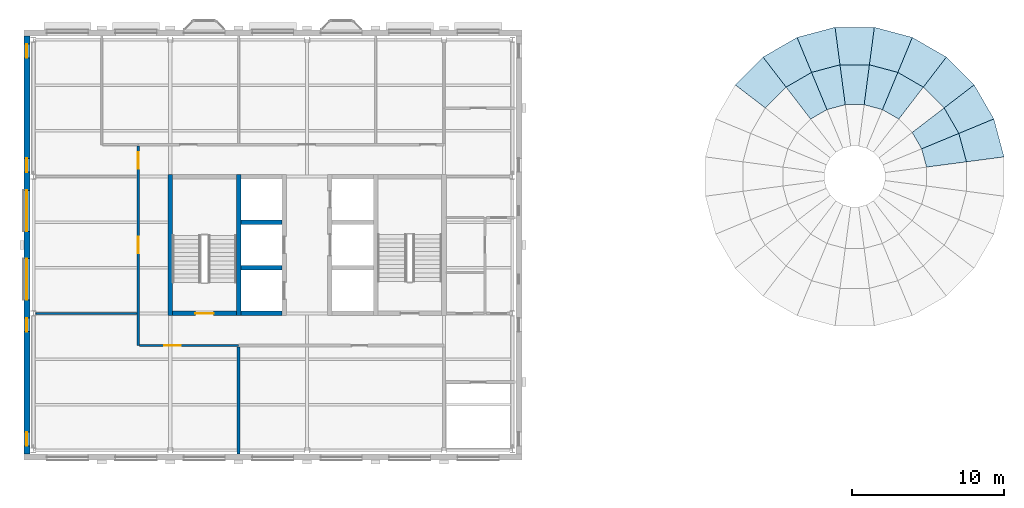
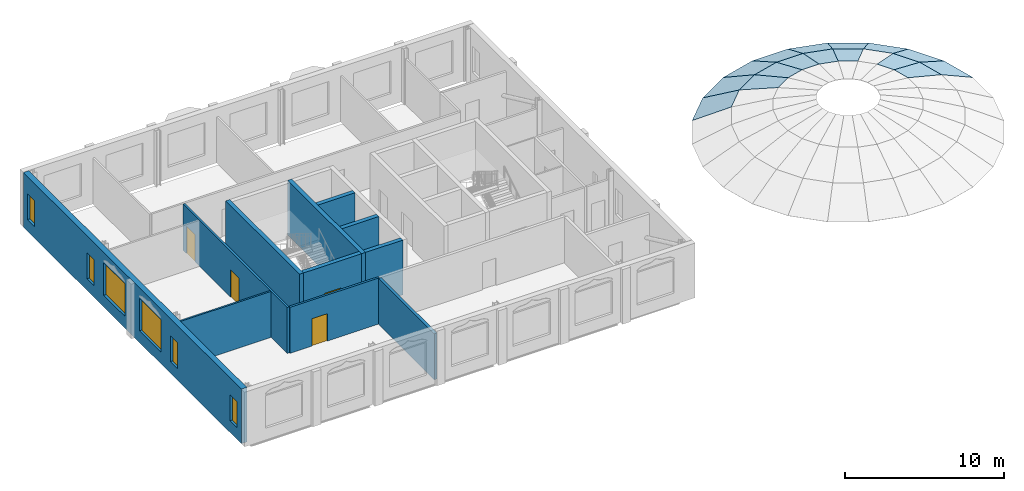
# One storey, part 5 of 11: 16 plates, 11 walls, 6 windows, 4 doors, 10 openings.
"""IFC4 building model written with IfcOpenShell, lengths in metres."""

from ifc_helpers import new_model, si_unit, direction, frame, frame_2d, origin, place, context, subcontext, project, spatial, polyline, rectangle, outline, extrude, material, layer, layer_set, type_object, element, fill, save


model = new_model("IFC4")

# Units and contexts
model_context = context("Model", 3, precision=1e-05, world=origin(), true_north=direction((0.0, 1.0)))
body_context = subcontext(model_context, "Body", "Model", "MODEL_VIEW")
ifc_project = project(units=[si_unit("LENGTHUNIT", "METRE"), si_unit("AREAUNIT", "SQUARE_METRE"), si_unit("VOLUMEUNIT", "CUBIC_METRE"), si_unit("PLANEANGLEUNIT", "RADIAN"), si_unit("MASSUNIT", "GRAM", prefix="KILO")], contexts=[model_context])

# Site, building, storey
site_placement = place(None, origin())
site = spatial("IfcSite", under=ifc_project, at=site_placement, CompositionType="ELEMENT")
building_placement = place(site_placement, origin())
building = spatial("IfcBuilding", under=site, at=building_placement, Name="Hortulan Conservatory and Botanical Research Centre", CompositionType="ELEMENT")
storey_placement = place(building_placement, frame((0.0, 0.0, 27.60009765625)))
storey = spatial("IfcBuildingStorey", under=building, at=storey_placement, Name="L06", CompositionType="ELEMENT", Elevation=27.60009765625)

# Plates
ifc_material_1 = material(Name="Low-e laminated glass", Category="glass")
ifc_layer_1 = layer(ifc_material_1, 0.030029296875)
ifc_layer_set_1 = layer_set([ifc_layer_1], Name="Dome Glazing Panel 30")
plate_type = type_object("IfcPlateType", Name="Dome Glazing Panel 30", PredefinedType="SHEET", material=ifc_layer_set_1)
plate_1_placement = place(storey_placement, frame((63.815185546875, 19.292236328125, -6.249755859375), z_axis=(0.442362151671, 0.11851416223, 0.888971383184), x_axis=(-0.258757663768, 0.965942271163, -1.4896006e-05)))
element("IfcPlate", 1, at=plate_1_placement, inside=storey, type_object=plate_type, Name="Dome glazing panel", PredefinedType="SHEET", context=body_context, shape_type="SweptSolid", body=[
    extrude(outline(polyline([(0.0, 0.0), (2.584349844653736, 1.1102230246251565e-16), (2.2591677473511225, 2.775932953417141), (0.3245891067580127, 2.7757859676912995), (0.0, 0.0)])), origin(), (0.0, 0.0, -1.0), 0.030029296875),
])
plate_2_placement = place(storey_placement, frame((63.146484375, 21.78857421875, -6.249755859375), z_axis=(0.39661213202, 0.228957415285, 0.888975432012), x_axis=(-0.499982581935, 0.866035459734, 1.5655538e-05)))
element("IfcPlate", 2, at=plate_2_placement, inside=storey, type_object=plate_type, Name="Dome glazing panel", PredefinedType="SHEET", context=body_context, shape_type="SweptSolid", body=[
    extrude(outline(polyline([(0.0, 0.0), (2.58452658716367, 0.0), (2.2596546579554535, 2.77582986174893), (0.3247429428089718, 2.775984362198881), (0.0, 0.0)])), origin(), (0.0, 0.0, -1.0), 0.030029296875),
])
plate_3_placement = place(storey_placement, frame((61.854248046875, 24.02685546875, -6.249755859375), z_axis=(0.323832351393, 0.323832351393, 0.888968625083), x_axis=(-0.707106781187, 0.707106781187, 0.0)))
element("IfcPlate", 3, at=plate_3_placement, inside=storey, type_object=plate_type, Name="Dome glazing panel", PredefinedType="SHEET", context=body_context, shape_type="SweptSolid", body=[
    extrude(outline(polyline([(0.0, 0.0), (2.584323367764311, 0.0), (2.2594271367601406, 2.7758270178300917), (0.32489623100417053, 2.7758270178300917), (0.0, 0.0)])), origin(), (0.0, 0.0, -1.0), 0.030029296875),
])
plate_4_placement = place(storey_placement, frame((60.02685546875, 25.854248046875, -6.249755859375), z_axis=(0.228957415285, 0.39661213202, 0.888975432012), x_axis=(-0.866035459734, 0.499982581935, -1.5655538e-05)))
element("IfcPlate", 4, at=plate_4_placement, inside=storey, type_object=plate_type, Name="Dome glazing panel", PredefinedType="SHEET", context=body_context, shape_type="SweptSolid", body=[
    extrude(outline(polyline([(0.0, 0.0), (2.58452658716367, 0.0), (2.259783644354698, 2.775984362198881), (0.3248719292082159, 2.77582986174893), (0.0, 0.0)])), origin(), (0.0, 0.0, -1.0), 0.030029296875),
])
plate_5_placement = place(storey_placement, frame((57.78857421875, 27.146484375, -6.249755859375), z_axis=(0.11851416223, 0.442362151671, 0.888971383184), x_axis=(-0.965942271163, 0.258757663768, 1.4896006e-05)))
element("IfcPlate", 5, at=plate_5_placement, inside=storey, type_object=plate_type, Name="Dome glazing panel", PredefinedType="SHEET", context=body_context, shape_type="SweptSolid", body=[
    extrude(outline(polyline([(0.0, 0.0), (2.584349844653736, -1.1102230246251565e-16), (2.259760737895723, 2.7757859676912995), (0.32518209730261355, 2.775932953417141), (0.0, 0.0)])), origin(), (0.0, 0.0, -1.0), 0.030029296875),
])
plate_6_placement = place(storey_placement, frame((55.292236328125, 27.815185546875, -6.249755859375), z_axis=(0.0, 0.457981865392, 0.888961535148), x_axis=(-1.0, 0.0, 0.0)))
element("IfcPlate", 6, at=plate_6_placement, inside=storey, type_object=plate_type, Name="Dome glazing panel", PredefinedType="SHEET", context=body_context, shape_type="SweptSolid", body=[
    extrude(outline(polyline([(0.0, 0.0), (2.58447265625, 0.0), (2.259521484375, 2.7757436056722233), (0.324951171875, 2.7757436056722233), (0.0, 0.0)])), origin(), (0.0, 0.0, -1.0), 0.030029296875),
])
plate_7_placement = place(storey_placement, frame((52.707763671875, 27.815185546875, -6.249755859375), z_axis=(-0.11851416223, 0.442362151671, 0.888971383184), x_axis=(-0.965942271163, -0.258757663768, -1.4896006e-05)))
element("IfcPlate", 7, at=plate_7_placement, inside=storey, type_object=plate_type, Name="Dome glazing panel", PredefinedType="SHEET", context=body_context, shape_type="SweptSolid", body=[
    extrude(outline(polyline([(0.0, 0.0), (2.584349844653736, 1.1102230246251565e-16), (2.2591677473511225, 2.775932953417141), (0.3245891067580127, 2.7757859676912995), (0.0, 0.0)])), origin(), (0.0, 0.0, -1.0), 0.030029296875),
])
plate_8_placement = place(storey_placement, frame((50.21142578125, 27.146484375, -6.249755859375), z_axis=(-0.228957415285, 0.39661213202, 0.888975432012), x_axis=(-0.866035459734, -0.499982581935, 1.5655538e-05)))
element("IfcPlate", 8, at=plate_8_placement, inside=storey, type_object=plate_type, Name="Dome glazing panel", PredefinedType="SHEET", context=body_context, shape_type="SweptSolid", body=[
    extrude(outline(polyline([(0.0, 0.0), (2.58452658716367, 0.0), (2.2596546579554535, 2.77582986174893), (0.3247429428089718, 2.775984362198881), (0.0, 0.0)])), origin(), (0.0, 0.0, -1.0), 0.030029296875),
])
plate_9_placement = place(storey_placement, frame((47.97314453125, 25.854248046875, -6.249755859375), z_axis=(-0.323832351393, 0.323832351393, 0.888968625083), x_axis=(-0.707106781187, -0.707106781187, 0.0)))
element("IfcPlate", 9, at=plate_9_placement, inside=storey, type_object=plate_type, Name="Dome glazing panel", PredefinedType="SHEET", context=body_context, shape_type="SweptSolid", body=[
    extrude(outline(polyline([(0.0, 0.0), (2.584323367764311, 0.0), (2.2594271367601406, 2.7758270178300917), (0.32489623100417053, 2.7758270178300917), (0.0, 0.0)])), origin(), (0.0, 0.0, -1.0), 0.030029296875),
])
plate_10_placement = place(storey_placement, frame((61.34765625, 18.96728515625, -4.978515625), z_axis=(0.31144531276, 0.083446736018, 0.946593080161), x_axis=(-0.258829937286, 0.965922907632, 8.722738e-06)))
element("IfcPlate", 10, at=plate_10_placement, inside=storey, type_object=plate_type, Name="Dome glazing panel", PredefinedType="SHEET", context=body_context, shape_type="SweptSolid", body=[
    extrude(outline(polyline([(0.0, 0.0), (1.9345786465795007, -5.551115123125783e-17), (1.5891652399054994, 2.7735365007159345), (0.3456402001367369, 2.773622478157721), (0.0, 0.0)])), origin(), (0.0, 0.0, -1.0), 0.030029296875),
])
plate_11_placement = place(storey_placement, frame((60.846923828125, 20.8359375, -4.978515625), z_axis=(0.279245625921, 0.161196605774, 0.946592591715), x_axis=(-0.499914677444, 0.866074659125, -9.833573e-06)))
element("IfcPlate", 11, at=plate_11_placement, inside=storey, type_object=plate_type, Name="Dome glazing panel", PredefinedType="SHEET", context=body_context, shape_type="SweptSolid", body=[
    extrude(outline(polyline([(0.0, 0.0), (1.934911721745753, 0.0), (1.5887624859462803, 2.7736156119107176), (0.34555642747071696, 2.773518685291514), (0.0, 0.0)])), origin(), (0.0, 0.0, -1.0), 0.030029296875),
])
plate_12_placement = place(storey_placement, frame((58.51171875, 23.879638671875, -4.978515625), z_axis=(0.161196605774, 0.279245625921, 0.946592591715), x_axis=(-0.866074659125, 0.499914677444, 9.833573e-06)))
element("IfcPlate", 12, at=plate_12_placement, inside=storey, type_object=plate_type, Name="Dome glazing panel", PredefinedType="SHEET", context=body_context, shape_type="SweptSolid", body=[
    extrude(outline(polyline([(0.0, 0.0), (1.934911721745753, 0.0), (1.589355294275036, 2.773518685291514), (0.3461492357994726, 2.7736156119107176), (0.0, 0.0)])), origin(), (0.0, 0.0, -1.0), 0.030029296875),
])
plate_13_placement = place(storey_placement, frame((56.8359375, 24.846923828125, -4.978515625), z_axis=(0.083446736018, 0.31144531276, 0.946593080161), x_axis=(-0.965922907632, 0.258829937286, -8.722738e-06)))
element("IfcPlate", 13, at=plate_13_placement, inside=storey, type_object=plate_type, Name="Dome glazing panel", PredefinedType="SHEET", context=body_context, shape_type="SweptSolid", body=[
    extrude(outline(polyline([(0.0, 0.0), (1.9345786465795007, 5.551115123125783e-17), (1.5889384464427643, 2.773622478157721), (0.34541340667400133, 2.7735365007159354), (0.0, 0.0)])), origin(), (0.0, 0.0, -1.0), 0.030029296875),
])
plate_14_placement = place(storey_placement, frame((54.96728515625, 25.34765625, -4.978515625), z_axis=(0.0, 0.322426590115, 0.946594471771), x_axis=(-1.0, 0.0, 0.0)))
element("IfcPlate", 14, at=plate_14_placement, inside=storey, type_object=plate_type, Name="Dome glazing panel", PredefinedType="SHEET", context=body_context, shape_type="SweptSolid", body=[
    extrude(outline(polyline([(0.0, 0.0), (1.9345703125, 0.0), (1.5888671875, 2.7736146359895373), (0.345703125, 2.7736146359895373), (0.0, 0.0)])), origin(), (0.0, 0.0, -1.0), 0.030029296875),
])
plate_15_placement = place(storey_placement, frame((53.03271484375, 25.34765625, -4.978515625), z_axis=(-0.083446736018, 0.31144531276, 0.946593080161), x_axis=(-0.965922907632, -0.258829937286, 8.722738e-06)))
element("IfcPlate", 15, at=plate_15_placement, inside=storey, type_object=plate_type, Name="Dome glazing panel", PredefinedType="SHEET", context=body_context, shape_type="SweptSolid", body=[
    extrude(outline(polyline([(0.0, 0.0), (1.9345786465795007, -5.551115123125783e-17), (1.5891652399054994, 2.7735365007159345), (0.3456402001367369, 2.773622478157721), (0.0, 0.0)])), origin(), (0.0, 0.0, -1.0), 0.030029296875),
])
plate_16_placement = place(storey_placement, frame((51.1640625, 24.846923828125, -4.978515625), z_axis=(-0.161196605774, 0.279245625921, 0.946592591715), x_axis=(-0.866074659125, -0.499914677444, -9.833573e-06)))
element("IfcPlate", 16, at=plate_16_placement, inside=storey, type_object=plate_type, Name="Dome glazing panel", PredefinedType="SHEET", context=body_context, shape_type="SweptSolid", body=[
    extrude(outline(polyline([(0.0, 0.0), (1.934911721745753, 0.0), (1.5887624859462803, 2.7736156119107176), (0.34555642747071696, 2.773518685291514), (0.0, 0.0)])), origin(), (0.0, 0.0, -1.0), 0.030029296875),
])

# Walls
ifc_material_2 = material(Name="Fire-rated plasterboard on steel studs", Category="steel")
ifc_layer_2 = layer(ifc_material_2, 0.199951171875)
ifc_layer_set_2 = layer_set([ifc_layer_2], Name="Compartment Partition 200")
wall_type_1 = type_object("IfcWallType", Name="Compartment Partition 200", PredefinedType="PARTITIONING", material=ifc_layer_set_2)
wall_1_placement = place(storey_placement, frame((13.5, -0.22607421875, 0.0), z_axis=(0.0, 0.0, 1.0), x_axis=(0.0, 1.0, 0.0)))
element("IfcWall", 17, at=wall_1_placement, inside=storey, type_object=wall_type_1, Name="Store wall", PredefinedType="PARTITIONING", context=body_context, shape_type="SweptSolid", body=[
    extrude(rectangle(XDim=7.01611328125, YDim=0.199951171875, at=frame_2d((3.508056640625, 0.0))), origin(), (0.0, 0.0, 1.0), 3.536865234375),
])
ifc_material_3 = material(Name="Concrete N50 (50 MPa, AS 3600)", Category="concrete")
ifc_layer_3 = layer(ifc_material_3, 0.300048828125)
ifc_layer_set_3 = layer_set([ifc_layer_3], Name="Core Wall 300 N50 FRL 240/120/120")
wall_type_2 = type_object("IfcWallType", Name="Core Wall 300 N50 FRL 240/120/120", PredefinedType="SHEAR", material=ifc_layer_set_3)
for number, where, z_axis, x_axis, name in (
    (18, (9.0, 8.85009765625, 0.0), (0.0, 0.0, 1.0), (0.0, 1.0, 0.0), "Reinforced concrete shaft wall"),
    (19, (13.5, 8.85009765625, 0.0), (0.0, 0.0, 1.0), (0.0, 1.0, 0.0), "Reinforced concrete shaft wall"),
):
    element("IfcWall", number, at=place(storey_placement, frame(where, z_axis=z_axis, x_axis=x_axis)), inside=storey, type_object=wall_type_2, Name=name, PredefinedType="SHEAR", context=body_context, shape_type="SweptSolid", body=[
        extrude(rectangle(XDim=9.2998046875, YDim=0.300048828125, at=frame_2d((4.64990234375, 0.0))), origin(), (0.0, 0.0, 1.0), 4.199951171875),
    ])

# Wall, opening, door
wall_2_placement = place(storey_placement, frame((9.14990234375, 9.0, 0.0), z_axis=(0.0, 0.0, 1.0), x_axis=(1.0, 0.0, 0.0)))
wall_2 = element("IfcWall", 20, at=wall_2_placement, inside=storey, type_object=wall_type_2, Name="Reinforced concrete shaft wall", PredefinedType="SHEAR", context=body_context, shape_type="SweptSolid", body=[
    extrude(rectangle(XDim=4.2001953125, YDim=0.300048828125, at=frame_2d((2.10009765625, 0.0))), origin(), (0.0, 0.0, 1.0), 4.199951171875),
])
opening_1_placement = place(wall_2_placement, frame((1.5, 0.0, 0.0)))
opening_1 = element("IfcOpeningElement", 21, at=opening_1_placement, cuts=wall_2, Name="Opening DT5", PredefinedType="OPENING", context=body_context, shape_type="SweptSolid", body=[
    extrude(rectangle(XDim=1.199951171875, YDim=2.10009765625, at=frame_2d((0.60009765625, 1.050048828125))), frame((0.0, 0.159912109375, 0.0), z_axis=(0.0, -1.0, 0.0), x_axis=(1.0, 0.0, 0.0)), (0.0, 0.0, 1.0), 0.320068359375),
])
ifc_material_4 = material(Name="Steel door leaf, insulated", Category="steel")
door_type_1 = type_object("IfcDoorType", Name="Stair Door 1200x2100 FRL -/120/30", OperationType="NOTDEFINED", PredefinedType="DOOR", material=ifc_material_4)
door_1_placement = place(opening_1_placement, origin())
door_1 = element("IfcDoor", 22, at=door_1_placement, inside=storey, type_object=door_type_1, Name="Door DT5 Exit Stair T1", OperationType="SINGLE_SWING_RIGHT", OverallHeight=2.10009765625, OverallWidth=1.199951171875, PredefinedType="DOOR", context=body_context, shape_type="SweptSolid", body=[
    extrude(rectangle(XDim=1.199951171875, YDim=2.10009765625, at=frame_2d((0.60009765625, 1.050048828125))), frame((0.0, 0.02490234375, 0.0), z_axis=(0.0, -1.0, 0.0), x_axis=(1.0, 0.0, 0.0)), (0.0, 0.0, 1.0), 0.050048828125),
])
fill(opening_1, door_1)

# Walls
for number, where, z_axis, x_axis, name in (
    (23, (13.64990234375, 9.0, 0.0), (0.0, 0.0, 1.0), (1.0, 0.0, 0.0), "Reinforced concrete shaft wall"),
    (24, (13.64990234375, 12.0, 0.0), (0.0, 0.0, 1.0), (1.0, 0.0, 0.0), "Reinforced concrete shaft wall"),
    (25, (13.64990234375, 15.0, 0.0), (0.0, 0.0, 1.0), (1.0, 0.0, 0.0), "Reinforced concrete shaft wall"),
):
    element("IfcWall", number, at=place(storey_placement, frame(where, z_axis=z_axis, x_axis=x_axis)), inside=storey, type_object=wall_type_2, Name=name, PredefinedType="SHEAR", context=body_context, shape_type="SweptSolid", body=[
        extrude(rectangle(XDim=2.7001953125, YDim=0.300048828125, at=frame_2d((1.35009765625, 0.0))), origin(), (0.0, 0.0, 1.0), 4.199951171875),
    ])

# Wall, openings, doors
ifc_material_5 = material(Name="Plasterboard on steel studs", Category="steel")
ifc_layer_4 = layer(ifc_material_5, 0.14990234375)
ifc_layer_set_4 = layer_set([ifc_layer_4], Name="Corridor Partition 150")
wall_type_3 = type_object("IfcWallType", Name="Corridor Partition 150", PredefinedType="PARTITIONING", material=ifc_layer_set_4)
wall_3_placement = place(storey_placement, frame((6.89990234375, 6.89990234375, 0.0), z_axis=(0.0, 0.0, 1.0), x_axis=(0.0, 1.0, 0.0)))
wall_3 = element("IfcWall", 26, at=wall_3_placement, inside=storey, type_object=wall_type_3, Name="Corridor partition", PredefinedType="PARTITIONING", context=body_context, shape_type="SweptSolid", body=[
    extrude(rectangle(XDim=13.114990234375, YDim=0.14990234375, at=frame_2d((6.5576171875, 0.0))), origin(), (0.0, 0.0, 1.0), 3.536865234375),
])
opening_2_placement = place(wall_3_placement, frame((11.60009765625, 0.0, 0.0)))
opening_2 = element("IfcOpeningElement", 27, at=opening_2_placement, cuts=wall_3, Name="Opening DT3", PredefinedType="OPENING", context=body_context, shape_type="SweptSolid", body=[
    extrude(rectangle(XDim=1.10009765625, YDim=2.10009765625, at=frame_2d((0.550048828125, 1.050048828125))), frame((0.0, 0.0849609375, 0.0), z_axis=(0.0, -1.0, 0.0), x_axis=(1.0, 0.0, 0.0)), (0.0, 0.0, 1.0), 0.169921875),
])
opening_3_placement = place(wall_3_placement, frame((6.050048828125, 0.0, 0.0)))
opening_3 = element("IfcOpeningElement", 28, at=opening_3_placement, cuts=wall_3, Name="Opening DT3", PredefinedType="OPENING", context=body_context, shape_type="SweptSolid", body=[
    extrude(rectangle(XDim=1.10009765625, YDim=2.10009765625, at=frame_2d((0.550048828125, 1.050048828125))), frame((0.0, 0.0849609375, 0.0), z_axis=(0.0, -1.0, 0.0), x_axis=(1.0, 0.0, 0.0)), (0.0, 0.0, 1.0), 0.169921875),
])
ifc_material_6 = material(Name="Timber door leaf with vision panel", Category="wood")
door_type_2 = type_object("IfcDoorType", Name="Laboratory Door 1100x2100", OperationType="NOTDEFINED", PredefinedType="DOOR", material=ifc_material_6)
door_2_placement = place(opening_2_placement, origin())
door_2 = element("IfcDoor", 29, at=door_2_placement, inside=storey, type_object=door_type_2, Name="Door DT3 Laboratory Write-up Office", OperationType="SINGLE_SWING_LEFT", OverallHeight=2.10009765625, OverallWidth=1.10009765625, PredefinedType="DOOR", context=body_context, shape_type="SweptSolid", body=[
    extrude(rectangle(XDim=1.10009765625, YDim=2.10009765625, at=frame_2d((0.550048828125, 1.050048828125))), frame((0.0, 0.02490234375, 0.0), z_axis=(0.0, -1.0, 0.0), x_axis=(1.0, 0.0, 0.0)), (0.0, 0.0, 1.0), 0.050048828125),
])
fill(opening_2, door_2)
door_3_placement = place(opening_3_placement, origin())
door_3 = element("IfcDoor", 30, at=door_3_placement, inside=storey, type_object=door_type_2, Name="Door DT3 Molecular Biology Laboratory", OperationType="SINGLE_SWING_LEFT", OverallHeight=2.10009765625, OverallWidth=1.10009765625, PredefinedType="DOOR", context=body_context, shape_type="SweptSolid", body=[
    extrude(rectangle(XDim=1.10009765625, YDim=2.10009765625, at=frame_2d((0.550048828125, 1.050048828125))), frame((0.0, 0.02490234375, 0.0), z_axis=(0.0, -1.0, 0.0), x_axis=(1.0, 0.0, 0.0)), (0.0, 0.0, 1.0), 0.050048828125),
])
fill(opening_3, door_3)

# Wall, opening, door
wall_4_placement = place(storey_placement, frame((6.985107421875, 6.89990234375, 0.0), z_axis=(0.0, 0.0, 1.0), x_axis=(1.0, 0.0, 0.0)))
wall_4 = element("IfcWall", 31, at=wall_4_placement, inside=storey, type_object=wall_type_3, Name="Corridor partition", PredefinedType="PARTITIONING", context=body_context, shape_type="SweptSolid", body=[
    extrude(rectangle(XDim=6.5048828125, YDim=0.14990234375, at=frame_2d((3.25244140625, 0.0))), origin(), (0.0, 0.0, 1.0), 3.536865234375),
])
opening_4_placement = place(wall_4_placement, frame((1.614990234375, 0.0, 0.0)))
opening_4 = element("IfcOpeningElement", 32, at=opening_4_placement, cuts=wall_4, Name="Opening DT3", PredefinedType="OPENING", context=body_context, shape_type="SweptSolid", body=[
    extrude(rectangle(XDim=1.10009765625, YDim=2.10009765625, at=frame_2d((0.550048828125, 1.050048828125))), frame((0.0, 0.0849609375, 0.0), z_axis=(0.0, -1.0, 0.0), x_axis=(1.0, 0.0, 0.0)), (0.0, 0.0, 1.0), 0.169921875),
])
door_4_placement = place(opening_4_placement, frame((1.10009765625, 0.0, 0.0), z_axis=(0.0, 0.0, 1.0), x_axis=(-1.0, 0.0, 0.0)))
door_4 = element("IfcDoor", 33, at=door_4_placement, inside=storey, type_object=door_type_2, Name="Door DT3 Growth Chamber Room", OperationType="SINGLE_SWING_RIGHT", OverallHeight=2.10009765625, OverallWidth=1.10009765625, PredefinedType="DOOR", context=body_context, shape_type="SweptSolid", body=[
    extrude(rectangle(XDim=1.10009765625, YDim=2.10009765625, at=frame_2d((0.550048828125, 1.050048828125))), frame((0.0, 0.02490234375, 0.0), z_axis=(0.0, -1.0, 0.0), x_axis=(1.0, 0.0, 0.0)), (0.0, 0.0, 1.0), 0.050048828125),
])
fill(opening_4, door_4)

# Wall, openings, windows
ifc_material_7 = material(Name="Faience-faced brickwork masonry", Category="masonry")
ifc_layer_5 = layer(ifc_material_7, 0.39990234375)
ifc_layer_set_5 = layer_set([ifc_layer_5], Name="Faience-faced Masonry Cavity Wall 400")
wall_type_4 = type_object("IfcWallType", Name="Faience-faced Masonry Cavity Wall 400", PredefinedType="STANDARD", material=ifc_layer_set_5)
wall_5_placement = place(storey_placement, frame((-0.425048828125, -0.22509765625, 0.0), z_axis=(0.0, 0.0, 1.0), x_axis=(0.0, 1.0, 0.0)))
wall_5 = element("IfcWall", 34, at=wall_5_placement, inside=storey, type_object=wall_type_4, Name="E-EW-TW-L06-W2", PredefinedType="STANDARD", context=body_context, shape_type="SweptSolid", body=[
    extrude(rectangle(XDim=27.4501953125, YDim=0.39990234375, at=frame_2d((13.72509765625, 0.0))), origin(), (0.0, 0.0, 1.0), 4.199951171875),
])
opening_5_placement = place(wall_5_placement, frame((0.52490234375, 0.0, 0.89990234375)))
opening_5 = element("IfcOpeningElement", 35, at=opening_5_placement, cuts=wall_5, Name="Opening W5", PredefinedType="OPENING", context=body_context, shape_type="SweptSolid", body=[
    extrude(rectangle(XDim=0.89990234375, YDim=2.0, at=frame_2d((0.449951171875, 1.0))), frame((0.0, 0.2099609375, 0.0), z_axis=(0.0, -1.0, 0.0), x_axis=(1.0, 0.0, 0.0)), (0.0, 0.0, 1.0), 0.419921875),
])
opening_6_placement = place(wall_5_placement, frame((8.02490234375, 0.0, 0.89990234375)))
opening_6 = element("IfcOpeningElement", 36, at=opening_6_placement, cuts=wall_5, Name="Opening W5", PredefinedType="OPENING", context=body_context, shape_type="SweptSolid", body=[
    extrude(rectangle(XDim=0.89990234375, YDim=2.0, at=frame_2d((0.449951171875, 1.0))), frame((0.0, 0.2099609375, 0.0), z_axis=(0.0, -1.0, 0.0), x_axis=(1.0, 0.0, 0.0)), (0.0, 0.0, 1.0), 0.419921875),
])
opening_7_placement = place(wall_5_placement, frame((10.125, 0.0, 0.89990234375)))
opening_7 = element("IfcOpeningElement", 37, at=opening_7_placement, cuts=wall_5, Name="Opening W4", PredefinedType="OPENING", context=body_context, shape_type="SweptSolid", body=[
    extrude(rectangle(XDim=2.699951171875, YDim=2.5, at=frame_2d((1.35009765625, 1.25))), frame((0.0, 0.2099609375, 0.0), z_axis=(0.0, -1.0, 0.0), x_axis=(1.0, 0.0, 0.0)), (0.0, 0.0, 1.0), 0.419921875),
])
opening_8_placement = place(wall_5_placement, frame((14.625, 0.0, 0.89990234375)))
opening_8 = element("IfcOpeningElement", 38, at=opening_8_placement, cuts=wall_5, Name="Opening W4", PredefinedType="OPENING", context=body_context, shape_type="SweptSolid", body=[
    extrude(rectangle(XDim=2.699951171875, YDim=2.5, at=frame_2d((1.35009765625, 1.25))), frame((0.0, 0.2099609375, 0.0), z_axis=(0.0, -1.0, 0.0), x_axis=(1.0, 0.0, 0.0)), (0.0, 0.0, 1.0), 0.419921875),
])
opening_9_placement = place(wall_5_placement, frame((18.52490234375, 0.0, 0.89990234375)))
opening_9 = element("IfcOpeningElement", 39, at=opening_9_placement, cuts=wall_5, Name="Opening W5", PredefinedType="OPENING", context=body_context, shape_type="SweptSolid", body=[
    extrude(rectangle(XDim=0.89990234375, YDim=2.0, at=frame_2d((0.449951171875, 1.0))), frame((0.0, 0.2099609375, 0.0), z_axis=(0.0, -1.0, 0.0), x_axis=(1.0, 0.0, 0.0)), (0.0, 0.0, 1.0), 0.419921875),
])
opening_10_placement = place(wall_5_placement, frame((26.02490234375, 0.0, 0.89990234375)))
opening_10 = element("IfcOpeningElement", 40, at=opening_10_placement, cuts=wall_5, Name="Opening W5", PredefinedType="OPENING", context=body_context, shape_type="SweptSolid", body=[
    extrude(rectangle(XDim=0.89990234375, YDim=2.0, at=frame_2d((0.449951171875, 1.0))), frame((0.0, 0.2099609375, 0.0), z_axis=(0.0, -1.0, 0.0), x_axis=(1.0, 0.0, 0.0)), (0.0, 0.0, 1.0), 0.419921875),
])
ifc_material_8 = material(Name="Bronze-finished aluminium frame with low-e laminated double glazing", Category="aluminium")
window_type_1 = type_object("IfcWindowType", Name="Faience Pier Window 900x2000", PartitioningType="SINGLE_PANEL", PredefinedType="WINDOW", material=ifc_material_8)
window_1_placement = place(opening_5_placement, origin())
window_1 = element("IfcWindow", 41, at=window_1_placement, inside=storey, type_object=window_type_1, Name="Faience Pier window", OverallHeight=2.0, OverallWidth=0.89990234375, PartitioningType="SINGLE_PANEL", PredefinedType="WINDOW", context=body_context, shape_type="SweptSolid", body=[
    extrude(rectangle(XDim=0.89990234375, YDim=2.0, at=frame_2d((0.449951171875, 1.0))), frame((0.0, 0.030029296875, 0.0), z_axis=(0.0, -1.0, 0.0), x_axis=(1.0, 0.0, 0.0)), (0.0, 0.0, 1.0), 0.06005859375),
])
fill(opening_5, window_1)
window_2_placement = place(opening_6_placement, origin())
window_2 = element("IfcWindow", 42, at=window_2_placement, inside=storey, type_object=window_type_1, Name="Faience Pier window", OverallHeight=2.0, OverallWidth=0.89990234375, PartitioningType="SINGLE_PANEL", PredefinedType="WINDOW", context=body_context, shape_type="SweptSolid", body=[
    extrude(rectangle(XDim=0.89990234375, YDim=2.0, at=frame_2d((0.449951171875, 1.0))), frame((0.0, 0.030029296875, 0.0), z_axis=(0.0, -1.0, 0.0), x_axis=(1.0, 0.0, 0.0)), (0.0, 0.0, 1.0), 0.06005859375),
])
fill(opening_6, window_2)
window_3_placement = place(opening_9_placement, origin())
window_3 = element("IfcWindow", 43, at=window_3_placement, inside=storey, type_object=window_type_1, Name="Faience Pier window", OverallHeight=2.0, OverallWidth=0.89990234375, PartitioningType="SINGLE_PANEL", PredefinedType="WINDOW", context=body_context, shape_type="SweptSolid", body=[
    extrude(rectangle(XDim=0.89990234375, YDim=2.0, at=frame_2d((0.449951171875, 1.0))), frame((0.0, 0.030029296875, 0.0), z_axis=(0.0, -1.0, 0.0), x_axis=(1.0, 0.0, 0.0)), (0.0, 0.0, 1.0), 0.06005859375),
])
fill(opening_9, window_3)
window_4_placement = place(opening_10_placement, origin())
window_4 = element("IfcWindow", 44, at=window_4_placement, inside=storey, type_object=window_type_1, Name="Faience Pier window", OverallHeight=2.0, OverallWidth=0.89990234375, PartitioningType="SINGLE_PANEL", PredefinedType="WINDOW", context=body_context, shape_type="SweptSolid", body=[
    extrude(rectangle(XDim=0.89990234375, YDim=2.0, at=frame_2d((0.449951171875, 1.0))), frame((0.0, 0.030029296875, 0.0), z_axis=(0.0, -1.0, 0.0), x_axis=(1.0, 0.0, 0.0)), (0.0, 0.0, 1.0), 0.06005859375),
])
fill(opening_10, window_4)
window_type_2 = type_object("IfcWindowType", Name="Faience Window 2700x2500", PartitioningType="SINGLE_PANEL", PredefinedType="WINDOW", material=ifc_material_8)
window_5_placement = place(opening_7_placement, origin())
window_5 = element("IfcWindow", 45, at=window_5_placement, inside=storey, type_object=window_type_2, Name="Faience window", OverallHeight=2.5, OverallWidth=2.699951171875, PartitioningType="SINGLE_PANEL", PredefinedType="WINDOW", context=body_context, shape_type="SweptSolid", body=[
    extrude(rectangle(XDim=2.699951171875, YDim=2.5, at=frame_2d((1.35009765625, 1.25))), frame((0.0, 0.030029296875, 0.0), z_axis=(0.0, -1.0, 0.0), x_axis=(1.0, 0.0, 0.0)), (0.0, 0.0, 1.0), 0.06005859375),
])
fill(opening_7, window_5)
window_6_placement = place(opening_8_placement, origin())
window_6 = element("IfcWindow", 46, at=window_6_placement, inside=storey, type_object=window_type_2, Name="Faience window", OverallHeight=2.5, OverallWidth=2.699951171875, PartitioningType="SINGLE_PANEL", PredefinedType="WINDOW", context=body_context, shape_type="SweptSolid", body=[
    extrude(rectangle(XDim=2.699951171875, YDim=2.5, at=frame_2d((1.35009765625, 1.25))), frame((0.0, 0.030029296875, 0.0), z_axis=(0.0, -1.0, 0.0), x_axis=(1.0, 0.0, 0.0)), (0.0, 0.0, 1.0), 0.06005859375),
])
fill(opening_8, window_6)

# Wall
ifc_layer_6 = layer(ifc_material_5, 0.125)
ifc_layer_set_6 = layer_set([ifc_layer_6], Name="Partition 125")
wall_type_5 = type_object("IfcWallType", Name="Partition 125", PredefinedType="PARTITIONING", material=ifc_layer_set_6)
wall_6_placement = place(storey_placement, frame((0.16552734375, 9.0, 0.0), z_axis=(0.0, 0.0, 1.0), x_axis=(1.0, 0.0, 0.0)))
element("IfcWall", 47, at=wall_6_placement, inside=storey, type_object=wall_type_5, Name="Partition", PredefinedType="PARTITIONING", context=body_context, shape_type="SweptSolid", body=[
    extrude(rectangle(XDim=6.6494140625, YDim=0.125, at=frame_2d((3.32470703125, 0.0))), origin(), (0.0, 0.0, 1.0), 3.536865234375),
])

save(model, "model.ifc")
